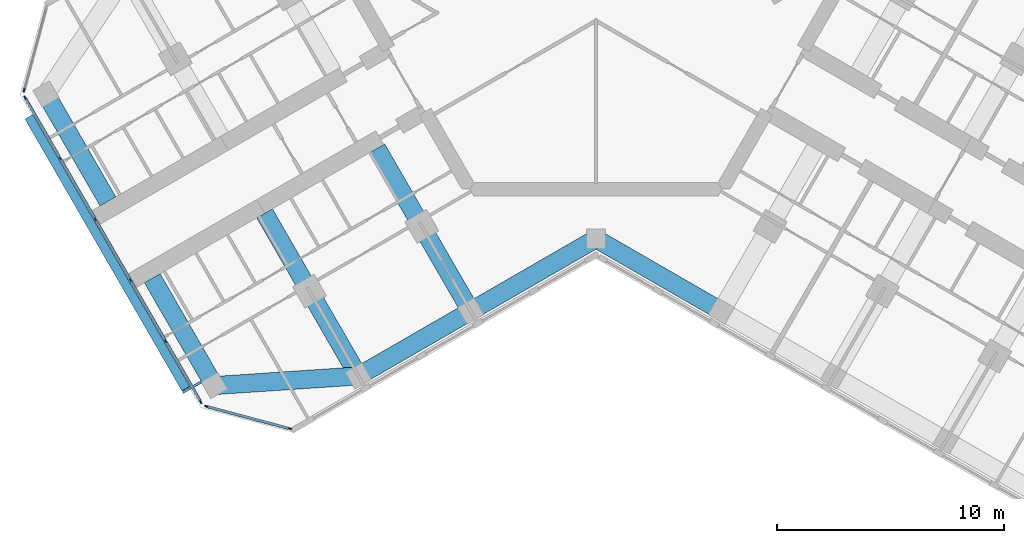
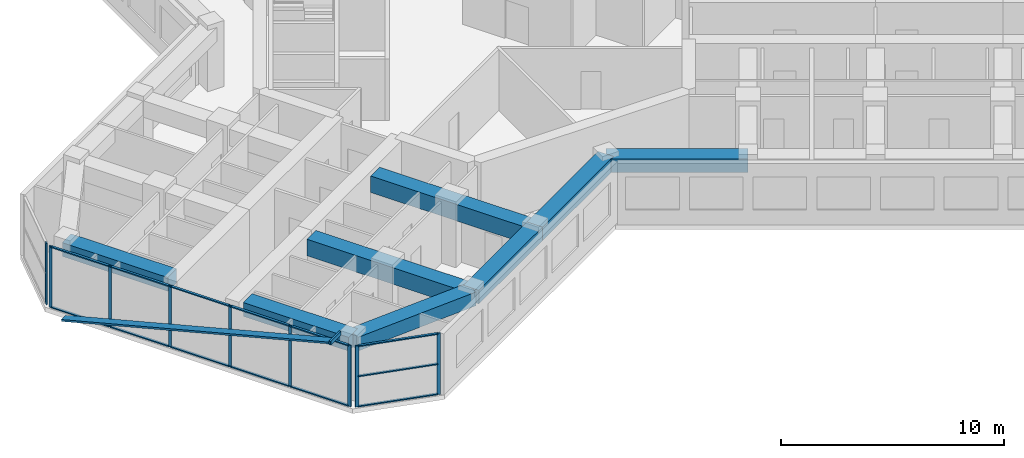
# One storey, part 2 of 16: 24 members, 8 beams, 3 elements without a shape of their own.
"""IFC4 building model written with IfcOpenShell, lengths in metres."""

from ifc_helpers import new_model, si_unit, direction, frame, origin, origin_2d, place, context, subcontext, project, spatial, rectangle, hollow_rectangle, extrude, material, material_profile, profile_set, type_object, element, aggregate, save


model = new_model("IFC4")

# Units and contexts
model_context = context("Model", 3, precision=1e-05, world=origin(), true_north=direction((0.0, 1.0)))
body_context = subcontext(model_context, "Body", "Model", "MODEL_VIEW")
ifc_project = project(units=[si_unit("LENGTHUNIT", "METRE"), si_unit("AREAUNIT", "SQUARE_METRE"), si_unit("VOLUMEUNIT", "CUBIC_METRE"), si_unit("PLANEANGLEUNIT", "RADIAN"), si_unit("MASSUNIT", "GRAM", prefix="KILO")], contexts=[model_context])

# Site, building, storey
site_placement = place(None, origin())
site = spatial("IfcSite", under=ifc_project, at=site_placement, CompositionType="ELEMENT")
building_placement = place(site_placement, origin())
building = spatial("IfcBuilding", under=site, at=building_placement, Name="Kosmar Iwan School Tower", CompositionType="ELEMENT")
storey_placement = place(building_placement, frame((0.0, 0.0, 246.0)))
storey = spatial("IfcBuildingStorey", under=building, at=storey_placement, Name="L62", CompositionType="ELEMENT", Elevation=246.0)

# Members
ifc_material_1 = material(Name="Black anodised aluminium", Category="aluminium")
ifc_material_profile_1 = material_profile(ifc_material_1, rectangle(XDim=0.10009765625, YDim=0.39990234375, at=origin_2d()), Name="FIN 100x400")
ifc_profile_set_1 = profile_set([ifc_material_profile_1], Name="Black anodised aluminium")
member_type_1 = type_object("IfcMemberType", Name="Diagonal fin 100x400", PredefinedType="USERDEFINED", material=ifc_profile_set_1)
member_1_placement = place(storey_placement, frame((-24.926513671875, -6.426025390625, -0.14990234375), z_axis=(0.483802480126, -0.837968840024, 0.252474520243), x_axis=(-0.126237445008, 0.218649241594, 0.967603543104)))
element("IfcMember", 1, at=member_1_placement, inside=storey, type_object=member_type_1, Name="Diagonal fin L62-F11", ObjectType="FIN", PredefinedType="USERDEFINED", context=body_context, shape_type="SweptSolid", body=[
    extrude(rectangle(XDim=0.10009765625, YDim=0.39990234375, at=origin_2d()), origin(), (0.0, 0.0, 1.0), 14.25830078125),
])
ifc_material_2 = material(Name="Steel S355", Category="steel")
ifc_material_profile_2 = material_profile(ifc_material_2, hollow_rectangle(XDim=0.10009765625, YDim=0.199951171875, WallThickness=0.008056640625, at=origin_2d()), Name="RHS 200x100x8")
ifc_profile_set_2 = profile_set([ifc_material_profile_2], Name="Steel S355")
member_type_2 = type_object("IfcMemberType", Name="Fin bracket RHS 200x100", PredefinedType="USERDEFINED", material=ifc_profile_set_2)
member_2_placement = place(storey_placement, frame((-17.362060546875, -18.078125, 3.47509765625), z_axis=(-0.866058118026, -0.49994333299, 0.0), x_axis=(0.49994333299, -0.866058118026, 0.0)))
element("IfcMember", 2, at=member_2_placement, inside=storey, type_object=member_type_2, Name="Fin bracket L63", ObjectType="FIN BRACKET", PredefinedType="USERDEFINED", context=body_context, shape_type="SweptSolid", body=[
    extrude(hollow_rectangle(XDim=0.10009765625, YDim=0.199951171875, WallThickness=0.008056640625, at=origin_2d()), origin(), (0.0, 0.0, 1.0), 0.9248046875),
])

# Curtain wall, member
ifc_material_3 = material(Name="Dark glass in black aluminium frame", Category="aluminium")
curtain_wall_type_1 = type_object("IfcCurtainWallType", Name="Chamfer curtain wall dark glass", PredefinedType="USERDEFINED", material=ifc_material_3)
curtain_wall_1_placement = place(storey_placement, origin())
curtain_wall_1 = element("IfcCurtainWall", 3, at=curtain_wall_1_placement, inside=storey, type_object=curtain_wall_type_1, Name="Curtain wall L62-F10", ObjectType="FACETED CURTAIN WALL", PredefinedType="USERDEFINED")
ifc_material_4 = material(Name="Black anodised aluminium", Category="aluminium")
ifc_material_profile_3 = material_profile(ifc_material_4, rectangle(XDim=0.06005859375, YDim=0.159912109375, at=origin_2d()), Name="MULLION 60x160")
ifc_profile_set_3 = profile_set([ifc_material_profile_3], Name="Black anodised aluminium")
member_type_3 = type_object("IfcMemberType", Name="Mullion 60x160", PredefinedType="MULLION", material=ifc_profile_set_3)
member_3_placement = place(storey_placement, frame((-25.141845703125, -5.24853515625, 0.0), z_axis=(0.0, 0.0, 1.0), x_axis=(0.965925875495, -0.258818861462, 0.0)))
member_3 = element("IfcMember", 4, at=member_3_placement, type_object=member_type_3, Name="CW2 mullion 2", PredefinedType="MULLION", context=body_context, shape_type="SweptSolid", body=[
    extrude(rectangle(XDim=0.06005859375, YDim=0.159912109375, at=origin_2d()), origin(), (0.0, 0.0, 1.0), 3.35009765625),
])
aggregate(curtain_wall_1, [member_3])

# Curtain wall, members
ifc_material_5 = material(Name="Dark glass in black aluminium frame", Category="aluminium")
curtain_wall_type_2 = type_object("IfcCurtainWallType", Name="Tower curtain wall dark glass", PredefinedType="USERDEFINED", material=ifc_material_5)
curtain_wall_2_placement = place(storey_placement, origin())
curtain_wall_2 = element("IfcCurtainWall", 5, at=curtain_wall_2_placement, inside=storey, type_object=curtain_wall_type_2, Name="Curtain wall L62-F11", ObjectType="UNITISED CURTAIN WALL", PredefinedType="USERDEFINED")
member_4_placement = place(storey_placement, frame((-25.098388671875, -5.578369140625, 0.0), z_axis=(0.0, 0.0, 1.0), x_axis=(0.866025405329, 0.499999997325, 0.0)))
member_4 = element("IfcMember", 6, at=member_4_placement, type_object=member_type_3, Name="CW1 mullion 1", PredefinedType="MULLION", context=body_context, shape_type="SweptSolid", body=[
    extrude(rectangle(XDim=0.06005859375, YDim=0.159912109375, at=origin_2d()), origin(), (0.0, 0.0, 1.0), 3.35009765625),
])
member_5_placement = place(storey_placement, frame((-23.563720703125, -8.236328125, 0.0), z_axis=(0.0, 0.0, 1.0), x_axis=(0.866025405329, 0.499999997325, 0.0)))
member_5 = element("IfcMember", 7, at=member_5_placement, type_object=member_type_3, Name="CW1 mullion 2", PredefinedType="MULLION", context=body_context, shape_type="SweptSolid", body=[
    extrude(rectangle(XDim=0.06005859375, YDim=0.159912109375, at=origin_2d()), origin(), (0.0, 0.0, 1.0), 3.35009765625),
])
member_6_placement = place(storey_placement, frame((-22.01416015625, -10.92041015625, 0.0), z_axis=(0.0, 0.0, 1.0), x_axis=(0.866025405329, 0.499999997325, 0.0)))
member_6 = element("IfcMember", 8, at=member_6_placement, type_object=member_type_3, Name="CW1 mullion 3", PredefinedType="MULLION", context=body_context, shape_type="SweptSolid", body=[
    extrude(rectangle(XDim=0.06005859375, YDim=0.159912109375, at=origin_2d()), origin(), (0.0, 0.0, 1.0), 3.35009765625),
])
member_7_placement = place(storey_placement, frame((-20.46435546875, -13.6044921875, 0.0), z_axis=(0.0, 0.0, 1.0), x_axis=(0.866025405329, 0.499999997325, 0.0)))
member_7 = element("IfcMember", 9, at=member_7_placement, type_object=member_type_3, Name="CW1 mullion 4", PredefinedType="MULLION", context=body_context, shape_type="SweptSolid", body=[
    extrude(rectangle(XDim=0.06005859375, YDim=0.159912109375, at=origin_2d()), origin(), (0.0, 0.0, 1.0), 3.35009765625),
])
member_8_placement = place(storey_placement, frame((-18.914794921875, -16.28857421875, 0.0), z_axis=(0.0, 0.0, 1.0), x_axis=(0.866025405329, 0.499999997325, 0.0)))
member_8 = element("IfcMember", 10, at=member_8_placement, type_object=member_type_3, Name="CW1 mullion 5", PredefinedType="MULLION", context=body_context, shape_type="SweptSolid", body=[
    extrude(rectangle(XDim=0.06005859375, YDim=0.159912109375, at=origin_2d()), origin(), (0.0, 0.0, 1.0), 3.35009765625),
])
member_9_placement = place(storey_placement, frame((-17.380126953125, -18.94677734375, 0.0), z_axis=(0.0, 0.0, 1.0), x_axis=(0.866025405329, 0.499999997325, 0.0)))
member_9 = element("IfcMember", 11, at=member_9_placement, type_object=member_type_3, Name="CW1 mullion 6", PredefinedType="MULLION", context=body_context, shape_type="SweptSolid", body=[
    extrude(rectangle(XDim=0.06005859375, YDim=0.159912109375, at=origin_2d()), origin(), (0.0, 0.0, 1.0), 3.35009765625),
])

curtain_wall_3_placement = place(storey_placement, origin())
curtain_wall_3 = element("IfcCurtainWall", 12, at=curtain_wall_3_placement, inside=storey, type_object=curtain_wall_type_1, Name="Curtain wall L62-F12", ObjectType="FACETED CURTAIN WALL", PredefinedType="USERDEFINED")
member_10_placement = place(storey_placement, frame((-17.1162109375, -19.149169921875, 0.0), z_axis=(0.0, 0.0, 1.0), x_axis=(0.258818861462, 0.965925875495, 0.0)))
member_10 = element("IfcMember", 13, at=member_10_placement, type_object=member_type_3, Name="CW2 mullion 1", PredefinedType="MULLION", context=body_context, shape_type="SweptSolid", body=[
    extrude(rectangle(XDim=0.06005859375, YDim=0.159912109375, at=origin_2d()), origin(), (0.0, 0.0, 1.0), 3.35009765625),
])
member_11_placement = place(storey_placement, frame((-13.466064453125, -20.127197265625, 0.0), z_axis=(0.0, 0.0, 1.0), x_axis=(0.258818861462, 0.965925875495, 0.0)))
member_11 = element("IfcMember", 14, at=member_11_placement, type_object=member_type_3, Name="CW2 mullion 2", PredefinedType="MULLION", context=body_context, shape_type="SweptSolid", body=[
    extrude(rectangle(XDim=0.06005859375, YDim=0.159912109375, at=origin_2d()), origin(), (0.0, 0.0, 1.0), 3.35009765625),
])

# Beams
ifc_material_6 = material(Name="Concrete C50/60", Category="concrete")
ifc_material_profile_4 = material_profile(ifc_material_6, rectangle(XDim=0.800048828125, YDim=0.75, at=origin_2d()), Name="RC 800x750")
ifc_profile_set_4 = profile_set([ifc_material_profile_4], Name="Concrete C50/60")
beam_type_1 = type_object("IfcBeamType", Name="RC edge beam 800x750", PredefinedType="BEAM", material=ifc_profile_set_4)
beam_1_placement = place(storey_placement, frame((0.0, -11.77783203125, 2.97509765625), z_axis=(-0.866014293216, -0.500019243575, 0.0), x_axis=(0.500019243575, -0.866014293216, 0.0)))
element("IfcBeam", 15, at=beam_1_placement, inside=storey, type_object=beam_type_1, Name="Edge beam BL1", PredefinedType="BEAM", context=body_context, shape_type="SweptSolid", body=[
    extrude(rectangle(XDim=0.800048828125, YDim=0.75, at=origin_2d()), origin(), (0.0, 0.0, 1.0), 6.361083984375),
])
beam_2_placement = place(storey_placement, frame((-5.5087890625, -14.95849609375, 2.97509765625), z_axis=(-0.866033658841, -0.49998570155, 0.0), x_axis=(0.49998570155, -0.866033658841, 0.0)))
element("IfcBeam", 16, at=beam_2_placement, inside=storey, type_object=beam_type_1, Name="Edge beam BL2", PredefinedType="BEAM", context=body_context, shape_type="SweptSolid", body=[
    extrude(rectangle(XDim=0.800048828125, YDim=0.75, at=origin_2d()), origin(), (0.0, 0.0, 1.0), 5.699951171875),
])
beam_3_placement = place(storey_placement, frame((0.0, -11.77783203125, 2.97509765625), z_axis=(0.866014293216, -0.500019243575, 0.0), x_axis=(0.500019243575, 0.866014293216, 0.0)))
element("IfcBeam", 17, at=beam_3_placement, inside=storey, type_object=beam_type_1, Name="Edge beam CR1", PredefinedType="BEAM", context=body_context, shape_type="SweptSolid", body=[
    extrude(rectangle(XDim=0.800048828125, YDim=0.75, at=origin_2d()), origin(), (0.0, 0.0, 1.0), 6.361083984375),
])
ifc_material_7 = material(Name="Concrete C50/60", Category="concrete")
ifc_material_profile_5 = material_profile(ifc_material_7, rectangle(XDim=0.800048828125, YDim=0.75, at=origin_2d()), Name="RC 800x750")
ifc_profile_set_5 = profile_set([ifc_material_profile_5], Name="Concrete C50/60")
beam_type_2 = type_object("IfcBeamType", Name="RC tip beam 800x750", PredefinedType="BEAM", material=ifc_profile_set_5)
beam_4_placement = place(storey_placement, frame((-10.445068359375, -17.808349609375, 2.97509765625), z_axis=(-0.997755118724, -0.066968074933, 0.0), x_axis=(0.066968074933, -0.997755118724, 0.0)))
element("IfcBeam", 18, at=beam_4_placement, inside=storey, type_object=beam_type_2, Name="Tip beam BL", PredefinedType="BEAM", context=body_context, shape_type="SweptSolid", body=[
    extrude(rectangle(XDim=0.800048828125, YDim=0.75, at=origin_2d()), origin(), (0.0, 0.0, 1.0), 6.3505859375),
])
beam_5_placement = place(storey_placement, frame((-16.781494140625, -18.233642578125, 2.97509765625), z_axis=(-0.500002931134, 0.866023711487, 0.0), x_axis=(-0.866023711487, -0.500002931134, 0.0)))
element("IfcBeam", 19, at=beam_5_placement, inside=storey, type_object=beam_type_2, Name="Tip beam BL to corridor wall", PredefinedType="BEAM", context=body_context, shape_type="SweptSolid", body=[
    extrude(rectangle(XDim=0.800048828125, YDim=0.75, at=origin_2d()), origin(), (0.0, 0.0, 1.0), 5.4501953125),
])
beam_6_placement = place(storey_placement, frame((-24.181396484375, -5.41650390625, 2.97509765625), z_axis=(0.499988730927, -0.866031909889, 0.0), x_axis=(0.866031909889, 0.499988730927, 0.0)))
element("IfcBeam", 20, at=beam_6_placement, inside=storey, type_object=beam_type_2, Name="Tip beam BR to corridor wall", PredefinedType="BEAM", context=body_context, shape_type="SweptSolid", body=[
    extrude(rectangle(XDim=0.800048828125, YDim=0.75, at=origin_2d()), origin(), (0.0, 0.0, 1.0), 5.449951171875),
])
ifc_material_8 = material(Name="Concrete C50/60", Category="concrete")
ifc_material_profile_6 = material_profile(ifc_material_8, rectangle(XDim=0.800048828125, YDim=0.89990234375, at=origin_2d()), Name="RC 800x900")
ifc_profile_set_6 = profile_set([ifc_material_profile_6], Name="Concrete C50/60")
beam_type_3 = type_object("IfcBeamType", Name="RC transverse beam 800x900", PredefinedType="BEAM", material=ifc_profile_set_6)
beam_7_placement = place(storey_placement, frame((-5.5087890625, -14.95849609375, 2.89990234375), z_axis=(-0.499996545922, 0.866027397988, 0.0), x_axis=(-0.866027397988, -0.499996545922, 0.0)))
element("IfcBeam", 21, at=beam_7_placement, inside=storey, type_object=beam_type_3, Name="Transverse beam BL1", PredefinedType="BEAM", context=body_context, shape_type="SweptSolid", body=[
    extrude(rectangle(XDim=0.800048828125, YDim=0.89990234375, at=origin_2d()), origin(), (0.0, 0.0, 1.0), 8.25),
])
beam_8_placement = place(storey_placement, frame((-10.445068359375, -17.808349609375, 2.89990234375), z_axis=(-0.500009360108, 0.866019999656, 0.0), x_axis=(-0.866019999656, -0.500009360108, 0.0)))
element("IfcBeam", 22, at=beam_8_placement, inside=storey, type_object=beam_type_3, Name="Transverse beam BL2", PredefinedType="BEAM", context=body_context, shape_type="SweptSolid", body=[
    extrude(rectangle(XDim=0.800048828125, YDim=0.89990234375, at=origin_2d()), origin(), (0.0, 0.0, 1.0), 8.249755859375),
])

# Member
ifc_material_9 = material(Name="Black anodised aluminium", Category="aluminium")
ifc_material_profile_7 = material_profile(ifc_material_9, rectangle(XDim=0.1201171875, YDim=0.06005859375, at=origin_2d()), Name="TRANSOM 60x120")
ifc_profile_set_7 = profile_set([ifc_material_profile_7], Name="Black anodised aluminium")
member_type_4 = type_object("IfcMemberType", Name="Transom 60x120", PredefinedType="USERDEFINED", material=ifc_profile_set_7)
member_12_placement = place(storey_placement, frame((-25.08349609375, -5.604248046875, 0.030029296875), z_axis=(0.499986971506, -0.866032925658, 0.0), x_axis=(0.866032925658, 0.499986971506, 0.0)))
member_12 = element("IfcMember", 23, at=member_12_placement, type_object=member_type_4, Name="CW1 transom 1.1", ObjectType="TRANSOM", PredefinedType="USERDEFINED", context=body_context, shape_type="SweptSolid", body=[
    extrude(rectangle(XDim=0.1201171875, YDim=0.06005859375, at=origin_2d()), origin(), (0.0, 0.0, 1.0), 3.00927734375),
])

member_13_placement = place(storey_placement, frame((-25.08349609375, -5.604248046875, 3.320068359375), z_axis=(0.499986971506, -0.866032925658, 0.0), x_axis=(0.866032925658, 0.499986971506, 0.0)))
member_13 = element("IfcMember", 24, at=member_13_placement, type_object=member_type_4, Name="CW1 transom 1.2", ObjectType="TRANSOM", PredefinedType="USERDEFINED", context=body_context, shape_type="SweptSolid", body=[
    extrude(rectangle(XDim=0.1201171875, YDim=0.06005859375, at=origin_2d()), origin(), (0.0, 0.0, 1.0), 3.00927734375),
])

member_14_placement = place(storey_placement, frame((-23.548828125, -8.262451171875, 0.030029296875), z_axis=(0.500035348339, -0.866004994449, 0.0), x_axis=(0.866004994449, 0.500035348339, 0.0)))
member_14 = element("IfcMember", 25, at=member_14_placement, type_object=member_type_4, Name="CW1 transom 2.1", ObjectType="TRANSOM", PredefinedType="USERDEFINED", context=body_context, shape_type="SweptSolid", body=[
    extrude(rectangle(XDim=0.1201171875, YDim=0.06005859375, at=origin_2d()), origin(), (0.0, 0.0, 1.0), 3.039306640625),
])

member_15_placement = place(storey_placement, frame((-23.548828125, -8.262451171875, 3.320068359375), z_axis=(0.500035348339, -0.866004994449, 0.0), x_axis=(0.866004994449, 0.500035348339, 0.0)))
member_15 = element("IfcMember", 26, at=member_15_placement, type_object=member_type_4, Name="CW1 transom 2.2", ObjectType="TRANSOM", PredefinedType="USERDEFINED", context=body_context, shape_type="SweptSolid", body=[
    extrude(rectangle(XDim=0.1201171875, YDim=0.06005859375, at=origin_2d()), origin(), (0.0, 0.0, 1.0), 3.039306640625),
])

member_16_placement = place(storey_placement, frame((-21.9990234375, -10.946533203125, 0.030029296875), z_axis=(0.499975102327, -0.866039777986, 0.0), x_axis=(0.866039777986, 0.499975102327, 0.0)))
member_16 = element("IfcMember", 27, at=member_16_placement, type_object=member_type_4, Name="CW1 transom 3.1", ObjectType="TRANSOM", PredefinedType="USERDEFINED", context=body_context, shape_type="SweptSolid", body=[
    extrude(rectangle(XDim=0.1201171875, YDim=0.06005859375, at=origin_2d()), origin(), (0.0, 0.0, 1.0), 3.039306640625),
])

member_17_placement = place(storey_placement, frame((-21.9990234375, -10.946533203125, 3.320068359375), z_axis=(0.499975102327, -0.866039777986, 0.0), x_axis=(0.866039777986, 0.499975102327, 0.0)))
member_17 = element("IfcMember", 28, at=member_17_placement, type_object=member_type_4, Name="CW1 transom 3.2", ObjectType="TRANSOM", PredefinedType="USERDEFINED", context=body_context, shape_type="SweptSolid", body=[
    extrude(rectangle(XDim=0.1201171875, YDim=0.06005859375, at=origin_2d()), origin(), (0.0, 0.0, 1.0), 3.039306640625),
])

member_18_placement = place(storey_placement, frame((-20.449462890625, -13.630615234375, 0.030029296875), z_axis=(0.500035348339, -0.866004994449, 0.0), x_axis=(0.866004994449, 0.500035348339, 0.0)))
member_18 = element("IfcMember", 29, at=member_18_placement, type_object=member_type_4, Name="CW1 transom 4.1", ObjectType="TRANSOM", PredefinedType="USERDEFINED", context=body_context, shape_type="SweptSolid", body=[
    extrude(rectangle(XDim=0.1201171875, YDim=0.06005859375, at=origin_2d()), origin(), (0.0, 0.0, 1.0), 3.039306640625),
])

member_19_placement = place(storey_placement, frame((-20.449462890625, -13.630615234375, 3.320068359375), z_axis=(0.500035348339, -0.866004994449, 0.0), x_axis=(0.866004994449, 0.500035348339, 0.0)))
member_19 = element("IfcMember", 30, at=member_19_placement, type_object=member_type_4, Name="CW1 transom 4.2", ObjectType="TRANSOM", PredefinedType="USERDEFINED", context=body_context, shape_type="SweptSolid", body=[
    extrude(rectangle(XDim=0.1201171875, YDim=0.06005859375, at=origin_2d()), origin(), (0.0, 0.0, 1.0), 3.039306640625),
])

member_20_placement = place(storey_placement, frame((-18.89990234375, -16.314697265625, 0.030029296875), z_axis=(0.500022102064, -0.866012642776, 0.0), x_axis=(0.866012642776, 0.500022102064, 0.0)))
member_20 = element("IfcMember", 31, at=member_20_placement, type_object=member_type_4, Name="CW1 transom 5.1", ObjectType="TRANSOM", PredefinedType="USERDEFINED", context=body_context, shape_type="SweptSolid", body=[
    extrude(rectangle(XDim=0.1201171875, YDim=0.06005859375, at=origin_2d()), origin(), (0.0, 0.0, 1.0), 3.009033203125),
])

member_21_placement = place(storey_placement, frame((-18.89990234375, -16.314697265625, 3.320068359375), z_axis=(0.500022102064, -0.866012642776, 0.0), x_axis=(0.866012642776, 0.500022102064, 0.0)))
member_21 = element("IfcMember", 32, at=member_21_placement, type_object=member_type_4, Name="CW1 transom 5.2", ObjectType="TRANSOM", PredefinedType="USERDEFINED", context=body_context, shape_type="SweptSolid", body=[
    extrude(rectangle(XDim=0.1201171875, YDim=0.06005859375, at=origin_2d()), origin(), (0.0, 0.0, 1.0), 3.009033203125),
])

aggregate(curtain_wall_2, [member_4, member_5, member_6, member_7, member_8, member_9, member_12, member_13, member_14, member_15, member_16, member_17, member_18, member_19, member_20, member_21])

member_22_placement = place(storey_placement, frame((-17.08740234375, -19.156982421875, 0.030029296875), z_axis=(0.965940141052, -0.258765615768, 0.0), x_axis=(0.258765615768, 0.965940141052, 0.0)))
member_22 = element("IfcMember", 33, at=member_22_placement, type_object=member_type_4, Name="CW2 transom 1.1", ObjectType="TRANSOM", PredefinedType="USERDEFINED", context=body_context, shape_type="SweptSolid", body=[
    extrude(rectangle(XDim=0.1201171875, YDim=0.06005859375, at=origin_2d()), origin(), (0.0, 0.0, 1.0), 3.71923828125),
])

member_23_placement = place(storey_placement, frame((-17.08740234375, -19.156982421875, 1.675048828125), z_axis=(0.965940141052, -0.258765615768, 0.0), x_axis=(0.258765615768, 0.965940141052, 0.0)))
member_23 = element("IfcMember", 34, at=member_23_placement, type_object=member_type_4, Name="CW2 transom 1.2", ObjectType="TRANSOM", PredefinedType="USERDEFINED", context=body_context, shape_type="SweptSolid", body=[
    extrude(rectangle(XDim=0.1201171875, YDim=0.06005859375, at=origin_2d()), origin(), (0.0, 0.0, 1.0), 3.71923828125),
])

member_24_placement = place(storey_placement, frame((-17.08740234375, -19.156982421875, 3.320068359375), z_axis=(0.965940141052, -0.258765615768, 0.0), x_axis=(0.258765615768, 0.965940141052, 0.0)))
member_24 = element("IfcMember", 35, at=member_24_placement, type_object=member_type_4, Name="CW2 transom 1.3", ObjectType="TRANSOM", PredefinedType="USERDEFINED", context=body_context, shape_type="SweptSolid", body=[
    extrude(rectangle(XDim=0.1201171875, YDim=0.06005859375, at=origin_2d()), origin(), (0.0, 0.0, 1.0), 3.71923828125),
])

aggregate(curtain_wall_3, [member_10, member_11, member_22, member_23, member_24])

save(model, "model.ifc")
